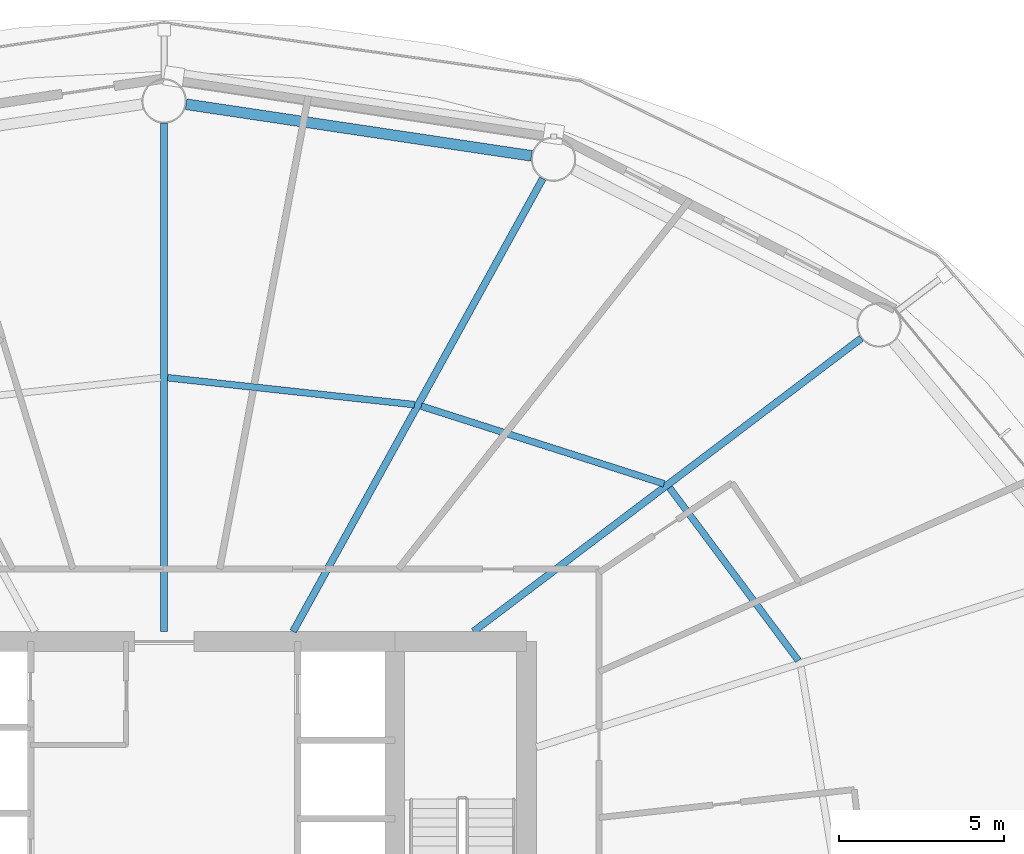
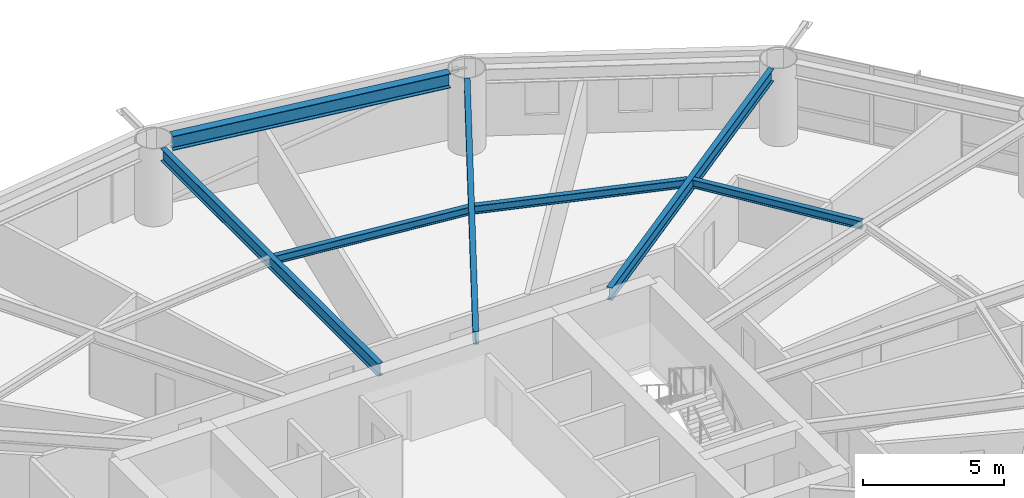
# One storey, part 13 of 26: 7 beams.
"""IFC4 building model written with IfcOpenShell, lengths in metres."""

from ifc_helpers import new_model, si_unit, direction, frame, origin, origin_2d, place, context, subcontext, project, spatial, i_section, extrude, material, material_profile, profile_set, type_object, element, save


model = new_model("IFC4")

# Units and contexts
model_context = context("Model", 3, precision=1e-05, world=origin(), true_north=direction((0.0, 1.0)))
body_context = subcontext(model_context, "Body", "Model", "MODEL_VIEW")
ifc_project = project(units=[si_unit("LENGTHUNIT", "METRE"), si_unit("AREAUNIT", "SQUARE_METRE"), si_unit("VOLUMEUNIT", "CUBIC_METRE"), si_unit("PLANEANGLEUNIT", "RADIAN"), si_unit("MASSUNIT", "GRAM", prefix="KILO")], contexts=[model_context])

# Site, building, storey
site_placement = place(None, origin())
site = spatial("IfcSite", under=ifc_project, at=site_placement, CompositionType="ELEMENT")
building_placement = place(site_placement, origin())
building = spatial("IfcBuilding", under=site, at=building_placement, Name="Sarneth Arch Tower", CompositionType="ELEMENT")
storey_placement = place(building_placement, frame((0.0, 0.0, 49.800048828125)))
storey = spatial("IfcBuildingStorey", under=building, at=storey_placement, Name="L11", CompositionType="ELEMENT", Elevation=49.800048828125)

# Beams
ifc_material_1 = material(Name="Steel S355", Category="steel")
ifc_material_profile_1 = material_profile(ifc_material_1, i_section(OverallWidth=0.2041015625, OverallDepth=0.35009765625, WebThickness=0.008544921875, FlangeThickness=0.01513671875, FilletRadius=0.014892578125, at=origin_2d()), Name="W360x72")
ifc_profile_set_1 = profile_set([ifc_material_profile_1], Name="Steel S355")
beam_type_1 = type_object("IfcBeamType", Name="BM-JOIST-360D", PredefinedType="JOIST", material=ifc_profile_set_1)
beam_1_placement = place(storey_placement, frame((67.2470703125, 48.216552734375, 3.204833984375), z_axis=(-0.597453564101, 0.801903509621, 0.0), x_axis=(-0.801903509621, -0.597453564101, 0.0)))
element("IfcBeam", 1, at=beam_1_placement, inside=storey, type_object=beam_type_1, Name="L11 Secondary floor joist 02", PredefinedType="JOIST", context=body_context, shape_type="SweptSolid", body=[
    extrude(i_section(OverallWidth=0.2041015625, OverallDepth=0.35009765625, WebThickness=0.008544921875, FlangeThickness=0.01513671875, FilletRadius=0.014892578125, at=origin_2d()), origin(), (0.0, 0.0, 1.0), 6.542724609375),
])
beam_2_placement = place(storey_placement, frame((63.17236328125, 53.58154296875, 3.204833984375), z_axis=(-0.952436240143, 0.304737934073, 0.0), x_axis=(-0.304737934073, -0.952436240143, 0.0)))
element("IfcBeam", 2, at=beam_2_placement, inside=storey, type_object=beam_type_1, Name="L11 Secondary floor joist 03", PredefinedType="JOIST", context=body_context, shape_type="SweptSolid", body=[
    extrude(i_section(OverallWidth=0.2041015625, OverallDepth=0.35009765625, WebThickness=0.008544921875, FlangeThickness=0.01513671875, FilletRadius=0.014892578125, at=origin_2d()), origin(), (0.0, 0.0, 1.0), 7.735107421875),
])
beam_3_placement = place(storey_placement, frame((55.596923828125, 55.983154296875, 3.204833984375), z_axis=(-0.994095251924, 0.108510967657, 0.0), x_axis=(-0.108510967657, -0.994095251924, 0.0)))
element("IfcBeam", 3, at=beam_3_placement, inside=storey, type_object=beam_type_1, Name="L11 Secondary floor joist 04", PredefinedType="JOIST", context=body_context, shape_type="SweptSolid", body=[
    extrude(i_section(OverallWidth=0.2041015625, OverallDepth=0.35009765625, WebThickness=0.008544921875, FlangeThickness=0.01513671875, FilletRadius=0.014892578125, at=origin_2d()), origin(), (0.0, 0.0, 1.0), 7.534912109375),
])
ifc_material_2 = material(Name="Steel S355", Category="steel")
ifc_material_profile_2 = material_profile(ifc_material_2, i_section(OverallWidth=0.214111328125, OverallDepth=0.549072265625, WebThickness=0.0146484375, FlangeThickness=0.023681640625, FilletRadius=0.01806640625, at=origin_2d()), Name="W530x138")
ifc_profile_set_2 = profile_set([ifc_material_profile_2], Name="Steel S355")
beam_type_2 = type_object("IfcBeamType", Name="BM-RAD-530A", PredefinedType="BEAM", material=ifc_profile_set_2)
beam_4_placement = place(storey_placement, frame((57.390380859375, 49.10009765625, 3.10546875), z_axis=(0.797656612852, 0.603111870198, 0.0), x_axis=(-0.603111870198, 0.797656612852, 0.0)))
element("IfcBeam", 4, at=beam_4_placement, inside=storey, type_object=beam_type_2, Name="L11 Radial floor girder 03", PredefinedType="BEAM", context=body_context, shape_type="SweptSolid", body=[
    extrude(i_section(OverallWidth=0.214111328125, OverallDepth=0.549072265625, WebThickness=0.0146484375, FlangeThickness=0.023681640625, FilletRadius=0.01806640625, at=origin_2d()), origin(), (0.0, 0.0, 1.0), 14.7529296875),
])
beam_5_placement = place(storey_placement, frame((51.91455078125, 49.10009765625, 3.10546875), z_axis=(0.482837562311, 0.875709933952, 0.0), x_axis=(-0.875709933952, 0.482837562311, 0.0)))
element("IfcBeam", 5, at=beam_5_placement, inside=storey, type_object=beam_type_2, Name="L11 Radial floor girder 04", PredefinedType="BEAM", context=body_context, shape_type="SweptSolid", body=[
    extrude(i_section(OverallWidth=0.214111328125, OverallDepth=0.549072265625, WebThickness=0.0146484375, FlangeThickness=0.023681640625, FilletRadius=0.01806640625, at=origin_2d()), origin(), (0.0, 0.0, 1.0), 15.693359375),
])
beam_6_placement = place(storey_placement, frame((48.0, 49.10009765625, 3.10546875), z_axis=(0.0, 1.0, 0.0), x_axis=(-1.0, 0.0, 0.0)))
element("IfcBeam", 6, at=beam_6_placement, inside=storey, type_object=beam_type_2, Name="L11 Radial floor girder 05", PredefinedType="BEAM", context=body_context, shape_type="SweptSolid", body=[
    extrude(i_section(OverallWidth=0.214111328125, OverallDepth=0.549072265625, WebThickness=0.0146484375, FlangeThickness=0.023681640625, FilletRadius=0.01806640625, at=origin_2d()), origin(), (0.0, 0.0, 1.0), 15.4248046875),
])
ifc_material_3 = material(Name="Steel S355", Category="steel")
ifc_material_profile_3 = material_profile(ifc_material_3, i_section(OverallWidth=0.326904296875, OverallDepth=0.6220703125, WebThickness=0.015380859375, FlangeThickness=0.0244140625, FilletRadius=0.01904296875, at=origin_2d()), Name="W610x195")
ifc_profile_set_3 = profile_set([ifc_material_profile_3], Name="Steel S355")
beam_type_3 = type_object("IfcBeamType", Name="BM-SPAN-610A", PredefinedType="SPANDREL", material=ifc_profile_set_3)
beam_7_placement = place(storey_placement, frame((59.150146484375, 63.53369140625, 3.06884765625), z_axis=(-0.989015788086, 0.147809914809, 0.0), x_axis=(-0.147809914809, -0.989015788086, 0.0)))
element("IfcBeam", 7, at=beam_7_placement, inside=storey, type_object=beam_type_3, Name="L11 Perimeter spandrel beam 04", PredefinedType="SPANDREL", context=body_context, shape_type="SweptSolid", body=[
    extrude(i_section(OverallWidth=0.326904296875, OverallDepth=0.6220703125, WebThickness=0.015380859375, FlangeThickness=0.0244140625, FilletRadius=0.01904296875, at=origin_2d()), origin(), (0.0, 0.0, 1.0), 10.59912109375),
])

save(model, "model.ifc")
